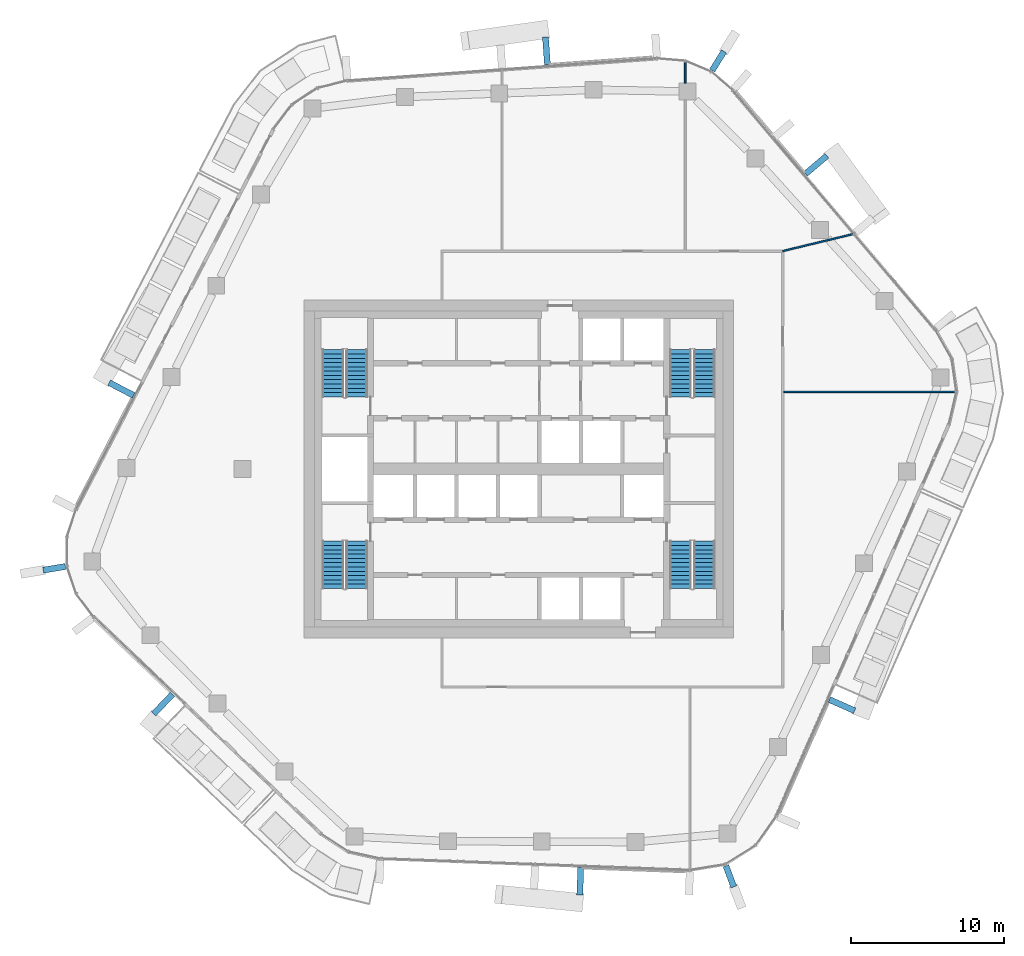
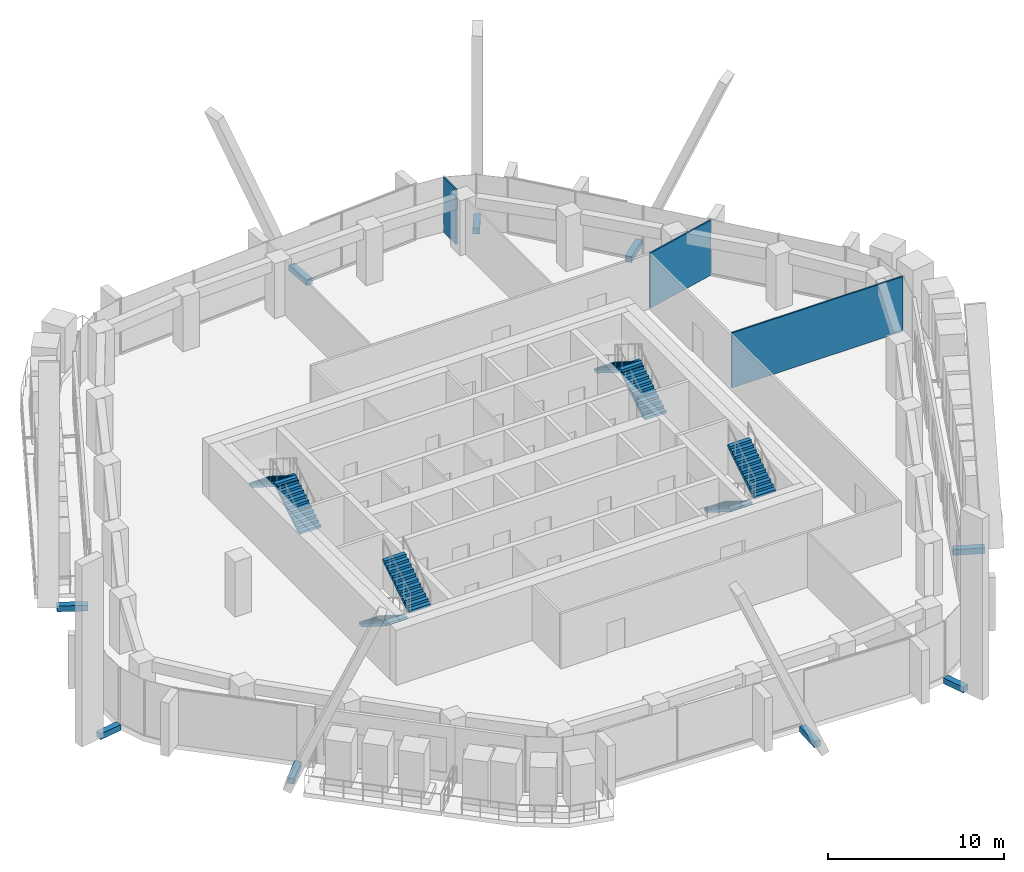
# One storey, part 13 of 20: 9 discrete accessories, 8 stair flights, 3 walls, 4 elements without a shape of their own.
"""IFC4 building model written with IfcOpenShell, lengths in metres."""

from ifc_helpers import new_model, si_unit, direction, frame, frame_2d, origin, origin_2d, place, context, subcontext, project, spatial, polyline, rectangle, outline, extrude, material, layer, layer_set, type_object, element, aggregate, save


model = new_model("IFC4")

# Units and contexts
model_context = context("Model", 3, precision=1e-05, world=origin(), true_north=direction((0.0, 1.0)))
body_context = subcontext(model_context, "Body", "Model", "MODEL_VIEW")
ifc_project = project(units=[si_unit("LENGTHUNIT", "METRE"), si_unit("AREAUNIT", "SQUARE_METRE"), si_unit("VOLUMEUNIT", "CUBIC_METRE"), si_unit("PLANEANGLEUNIT", "RADIAN"), si_unit("MASSUNIT", "GRAM", prefix="KILO")], contexts=[model_context])

# Site, building, storey
site_placement = place(None, origin())
site = spatial("IfcSite", under=ifc_project, at=site_placement, CompositionType="ELEMENT")
building_placement = place(site_placement, origin())
building = spatial("IfcBuilding", under=site, at=building_placement, Name="Dongbaek Canopy Tower", CompositionType="ELEMENT")
storey_placement = place(building_placement, frame((0.0, 0.0, 266.39990234375)))
storey = spatial("IfcBuildingStorey", under=building, at=storey_placement, Name="L56", CompositionType="ELEMENT", Elevation=266.39990234375)

# Walls
ifc_material_1 = material(Name="Gypsum board partition, steel stud, 2 x 12.5 mm board", Category="steel")
ifc_layer_1 = layer(ifc_material_1, 0.10009765625)
ifc_layer_set_1 = layer_set([ifc_layer_1], Name="Partition 100 gypsum board")
wall_type = type_object("IfcWallType", Name="Partition 100 gypsum board", PredefinedType="PARTITIONING", material=ifc_layer_set_1)
wall_1_placement = place(storey_placement, frame((17.27490234375, 5.033935546875, 0.0), z_axis=(0.0, 0.0, 1.0), x_axis=(1.0, 0.0, 0.0)))
element("IfcWall", 1, at=wall_1_placement, inside=storey, type_object=wall_type, Name="Partition", PredefinedType="PARTITIONING", context=body_context, shape_type="SweptSolid", body=[
    extrude(rectangle(XDim=11.22705078125, YDim=0.10009765625, at=frame_2d((5.613525390625, 0.0))), origin(), (0.0, 0.0, 1.0), 3.820068359375),
])
wall_2_placement = place(storey_placement, frame((17.199951171875, 14.2001953125, 0.0), z_axis=(0.0, 0.0, 1.0), x_axis=(0.971845844502, 0.235617602322, 0.0)))
element("IfcWall", 2, at=wall_2_placement, inside=storey, type_object=wall_type, Name="Partition", PredefinedType="PARTITIONING", context=body_context, shape_type="SweptSolid", body=[
    extrude(rectangle(XDim=4.7705078125, YDim=0.10009765625, at=frame_2d((2.38525390625, 0.0))), origin(), (0.0, 0.0, 1.0), 3.820068359375),
])
wall_3_placement = place(storey_placement, frame((10.85302734375, 25.14892578125, 0.0), z_axis=(0.0, 0.0, 1.0), x_axis=(0.0, 1.0, 0.0)))
element("IfcWall", 3, at=wall_3_placement, inside=storey, type_object=wall_type, Name="Partition", PredefinedType="PARTITIONING", context=body_context, shape_type="SweptSolid", body=[
    extrude(rectangle(XDim=1.42333984375, YDim=0.10009765625, at=frame_2d((0.711669921875, 0.0))), origin(), (0.0, 0.0, 1.0), 3.820068359375),
])

# Stair, stair flights
ifc_material_2 = material(Name="Concrete C40/50", Category="concrete")
stair_type = type_object("IfcStairType", Name="Core exit stair", PredefinedType="HALF_TURN_STAIR", material=ifc_material_2)
stair_1_placement = place(storey_placement, origin())
stair_1 = element("IfcStair", 4, at=stair_1_placement, inside=storey, type_object=stair_type, Name="L56 exit stair A", PredefinedType="HALF_TURN_STAIR")
ifc_material_3 = material(Name="Concrete C40/50", Category="concrete")
ifc_layer_2 = layer(ifc_material_3, 0.14990234375)
ifc_layer_set_2 = layer_set([ifc_layer_2], Name="Core stair flight 150 waist")
stair_flight_type = type_object("IfcStairFlightType", Name="Core stair flight 150 waist", PredefinedType="STRAIGHT", material=ifc_layer_set_2)
stair_flight_1_placement = place(storey_placement, frame((12.10009765625, 4.699951171875, 0.0), z_axis=(0.0, 0.0, 1.0), x_axis=(0.0, 1.0, 0.0)))
stair_flight_1 = element("IfcStairFlight", 5, at=stair_flight_1_placement, type_object=stair_flight_type, Name="ST-A flight 1", NumberOfRisers=12, NumberOfTreads=11, PredefinedType="STRAIGHT", RiserHeight=0.175, TreadLength=0.28, context=body_context, shape_type="SweptSolid", body=[
    extrude(outline(polyline([(0.0, 0.0), (0.0, 0.175048828125), (0.280029296875, 0.175048828125), (0.280029296875, 0.35009765625), (0.56005859375, 0.35009765625), (0.56005859375, 0.52490234375), (0.840087890625, 0.52490234375), (0.840087890625, 0.699951171875), (1.1201171875, 0.699951171875), (1.1201171875, 0.875), (1.39990234375, 0.875), (1.39990234375, 1.050048828125), (1.679931640625, 1.050048828125), (1.679931640625, 1.22509765625), (1.9599609375, 1.22509765625), (1.9599609375, 1.39990234375), (2.239990234375, 1.39990234375), (2.239990234375, 1.574951171875), (2.52001953125, 1.574951171875), (2.52001953125, 1.75), (2.800048828125, 1.75), (2.800048828125, 1.925048828125), (3.080078125, 1.925048828125), (3.080078125, 2.10009765625), (3.080078125, 1.748291015625), (0.28271484375, 0.0), (0.0, 0.0)])), frame((0.0, 0.699951171875, 0.0), z_axis=(0.0, -1.0, 0.0), x_axis=(1.0, 0.0, 0.0)), (0.0, 0.0, 1.0), 1.39990234375),
])
stair_flight_2_placement = place(storey_placement, frame((10.550048828125, 7.780029296875, 2.10009765625), z_axis=(0.0, 0.0, 1.0), x_axis=(0.0, -1.0, 0.0)))
stair_flight_2 = element("IfcStairFlight", 6, at=stair_flight_2_placement, type_object=stair_flight_type, Name="ST-A flight 2", NumberOfRisers=12, NumberOfTreads=11, PredefinedType="STRAIGHT", RiserHeight=0.175, TreadLength=0.28, context=body_context, shape_type="SweptSolid", body=[
    extrude(outline(polyline([(0.0, 0.0), (0.0, 0.175048828125), (0.280029296875, 0.175048828125), (0.280029296875, 0.35009765625), (0.56005859375, 0.35009765625), (0.56005859375, 0.52490234375), (0.840087890625, 0.52490234375), (0.840087890625, 0.699951171875), (1.1201171875, 0.699951171875), (1.1201171875, 0.875), (1.39990234375, 0.875), (1.39990234375, 1.050048828125), (1.679931640625, 1.050048828125), (1.679931640625, 1.22509765625), (1.9599609375, 1.22509765625), (1.9599609375, 1.39990234375), (2.239990234375, 1.39990234375), (2.239990234375, 1.574951171875), (2.52001953125, 1.574951171875), (2.52001953125, 1.75), (2.800048828125, 1.75), (2.800048828125, 1.925048828125), (3.080078125, 1.925048828125), (3.080078125, 2.10009765625), (3.080078125, 1.748291015625), (0.28271484375, 0.0), (0.0, 0.0)])), frame((0.0, 0.699951171875, 0.0), z_axis=(0.0, -1.0, 0.0), x_axis=(1.0, 0.0, 0.0)), (0.0, 0.0, 1.0), 1.39990234375),
])
aggregate(stair_1, [stair_flight_1, stair_flight_2])

stair_2_placement = place(storey_placement, origin())
stair_2 = element("IfcStair", 7, at=stair_2_placement, inside=storey, type_object=stair_type, Name="L56 exit stair C", PredefinedType="HALF_TURN_STAIR")
stair_flight_3_placement = place(storey_placement, frame((-10.550048828125, 4.699951171875, 0.0), z_axis=(0.0, 0.0, 1.0), x_axis=(0.0, 1.0, 0.0)))
stair_flight_3 = element("IfcStairFlight", 8, at=stair_flight_3_placement, type_object=stair_flight_type, Name="ST-C flight 1", NumberOfRisers=12, NumberOfTreads=11, PredefinedType="STRAIGHT", RiserHeight=0.175, TreadLength=0.28, context=body_context, shape_type="SweptSolid", body=[
    extrude(outline(polyline([(0.0, 0.0), (0.0, 0.175048828125), (0.280029296875, 0.175048828125), (0.280029296875, 0.35009765625), (0.56005859375, 0.35009765625), (0.56005859375, 0.52490234375), (0.840087890625, 0.52490234375), (0.840087890625, 0.699951171875), (1.1201171875, 0.699951171875), (1.1201171875, 0.875), (1.39990234375, 0.875), (1.39990234375, 1.050048828125), (1.679931640625, 1.050048828125), (1.679931640625, 1.22509765625), (1.9599609375, 1.22509765625), (1.9599609375, 1.39990234375), (2.239990234375, 1.39990234375), (2.239990234375, 1.574951171875), (2.52001953125, 1.574951171875), (2.52001953125, 1.75), (2.800048828125, 1.75), (2.800048828125, 1.925048828125), (3.080078125, 1.925048828125), (3.080078125, 2.10009765625), (3.080078125, 1.748291015625), (0.28271484375, 0.0), (0.0, 0.0)])), frame((0.0, 0.699951171875, 0.0), z_axis=(0.0, -1.0, 0.0), x_axis=(1.0, 0.0, 0.0)), (0.0, 0.0, 1.0), 1.39990234375),
])
stair_flight_4_placement = place(storey_placement, frame((-12.10009765625, 7.780029296875, 2.10009765625), z_axis=(0.0, 0.0, 1.0), x_axis=(0.0, -1.0, 0.0)))
stair_flight_4 = element("IfcStairFlight", 9, at=stair_flight_4_placement, type_object=stair_flight_type, Name="ST-C flight 2", NumberOfRisers=12, NumberOfTreads=11, PredefinedType="STRAIGHT", RiserHeight=0.175, TreadLength=0.28, context=body_context, shape_type="SweptSolid", body=[
    extrude(outline(polyline([(0.0, 0.0), (0.0, 0.175048828125), (0.280029296875, 0.175048828125), (0.280029296875, 0.35009765625), (0.56005859375, 0.35009765625), (0.56005859375, 0.52490234375), (0.840087890625, 0.52490234375), (0.840087890625, 0.699951171875), (1.1201171875, 0.699951171875), (1.1201171875, 0.875), (1.39990234375, 0.875), (1.39990234375, 1.050048828125), (1.679931640625, 1.050048828125), (1.679931640625, 1.22509765625), (1.9599609375, 1.22509765625), (1.9599609375, 1.39990234375), (2.239990234375, 1.39990234375), (2.239990234375, 1.574951171875), (2.52001953125, 1.574951171875), (2.52001953125, 1.75), (2.800048828125, 1.75), (2.800048828125, 1.925048828125), (3.080078125, 1.925048828125), (3.080078125, 2.10009765625), (3.080078125, 1.748291015625), (0.28271484375, 0.0), (0.0, 0.0)])), frame((0.0, 0.699951171875, 0.0), z_axis=(0.0, -1.0, 0.0), x_axis=(1.0, 0.0, 0.0)), (0.0, 0.0, 1.0), 1.39990234375),
])
aggregate(stair_2, [stair_flight_3, stair_flight_4])

stair_3_placement = place(storey_placement, origin())
stair_3 = element("IfcStair", 10, at=stair_3_placement, inside=storey, type_object=stair_type, Name="L56 exit stair B", PredefinedType="HALF_TURN_STAIR")
stair_flight_5_placement = place(storey_placement, frame((10.550048828125, -4.699951171875, 0.0), z_axis=(0.0, 0.0, 1.0), x_axis=(0.0, -1.0, 0.0)))
stair_flight_5 = element("IfcStairFlight", 11, at=stair_flight_5_placement, type_object=stair_flight_type, Name="ST-B flight 1", NumberOfRisers=12, NumberOfTreads=11, PredefinedType="STRAIGHT", RiserHeight=0.175, TreadLength=0.28, context=body_context, shape_type="SweptSolid", body=[
    extrude(outline(polyline([(0.0, 0.0), (0.0, 0.175048828125), (0.280029296875, 0.175048828125), (0.280029296875, 0.35009765625), (0.56005859375, 0.35009765625), (0.56005859375, 0.52490234375), (0.840087890625, 0.52490234375), (0.840087890625, 0.699951171875), (1.1201171875, 0.699951171875), (1.1201171875, 0.875), (1.39990234375, 0.875), (1.39990234375, 1.050048828125), (1.679931640625, 1.050048828125), (1.679931640625, 1.22509765625), (1.9599609375, 1.22509765625), (1.9599609375, 1.39990234375), (2.239990234375, 1.39990234375), (2.239990234375, 1.574951171875), (2.52001953125, 1.574951171875), (2.52001953125, 1.75), (2.800048828125, 1.75), (2.800048828125, 1.925048828125), (3.080078125, 1.925048828125), (3.080078125, 2.10009765625), (3.080078125, 1.748291015625), (0.28271484375, 0.0), (0.0, 0.0)])), frame((0.0, 0.699951171875, 0.0), z_axis=(0.0, -1.0, 0.0), x_axis=(1.0, 0.0, 0.0)), (0.0, 0.0, 1.0), 1.39990234375),
])
stair_flight_6_placement = place(storey_placement, frame((12.10009765625, -7.780029296875, 2.10009765625), z_axis=(0.0, 0.0, 1.0), x_axis=(0.0, 1.0, 0.0)))
stair_flight_6 = element("IfcStairFlight", 12, at=stair_flight_6_placement, type_object=stair_flight_type, Name="ST-B flight 2", NumberOfRisers=12, NumberOfTreads=11, PredefinedType="STRAIGHT", RiserHeight=0.175, TreadLength=0.28, context=body_context, shape_type="SweptSolid", body=[
    extrude(outline(polyline([(0.0, 0.0), (0.0, 0.175048828125), (0.280029296875, 0.175048828125), (0.280029296875, 0.35009765625), (0.56005859375, 0.35009765625), (0.56005859375, 0.52490234375), (0.840087890625, 0.52490234375), (0.840087890625, 0.699951171875), (1.1201171875, 0.699951171875), (1.1201171875, 0.875), (1.39990234375, 0.875), (1.39990234375, 1.050048828125), (1.679931640625, 1.050048828125), (1.679931640625, 1.22509765625), (1.9599609375, 1.22509765625), (1.9599609375, 1.39990234375), (2.239990234375, 1.39990234375), (2.239990234375, 1.574951171875), (2.52001953125, 1.574951171875), (2.52001953125, 1.75), (2.800048828125, 1.75), (2.800048828125, 1.925048828125), (3.080078125, 1.925048828125), (3.080078125, 2.10009765625), (3.080078125, 1.748291015625), (0.28271484375, 0.0), (0.0, 0.0)])), frame((0.0, 0.699951171875, 0.0), z_axis=(0.0, -1.0, 0.0), x_axis=(1.0, 0.0, 0.0)), (0.0, 0.0, 1.0), 1.39990234375),
])
aggregate(stair_3, [stair_flight_5, stair_flight_6])

stair_4_placement = place(storey_placement, origin())
stair_4 = element("IfcStair", 13, at=stair_4_placement, inside=storey, type_object=stair_type, Name="L56 exit stair D", PredefinedType="HALF_TURN_STAIR")
stair_flight_7_placement = place(storey_placement, frame((-12.10009765625, -4.699951171875, 0.0), z_axis=(0.0, 0.0, 1.0), x_axis=(0.0, -1.0, 0.0)))
stair_flight_7 = element("IfcStairFlight", 14, at=stair_flight_7_placement, type_object=stair_flight_type, Name="ST-D flight 1", NumberOfRisers=12, NumberOfTreads=11, PredefinedType="STRAIGHT", RiserHeight=0.175, TreadLength=0.28, context=body_context, shape_type="SweptSolid", body=[
    extrude(outline(polyline([(0.0, 0.0), (0.0, 0.175048828125), (0.280029296875, 0.175048828125), (0.280029296875, 0.35009765625), (0.56005859375, 0.35009765625), (0.56005859375, 0.52490234375), (0.840087890625, 0.52490234375), (0.840087890625, 0.699951171875), (1.1201171875, 0.699951171875), (1.1201171875, 0.875), (1.39990234375, 0.875), (1.39990234375, 1.050048828125), (1.679931640625, 1.050048828125), (1.679931640625, 1.22509765625), (1.9599609375, 1.22509765625), (1.9599609375, 1.39990234375), (2.239990234375, 1.39990234375), (2.239990234375, 1.574951171875), (2.52001953125, 1.574951171875), (2.52001953125, 1.75), (2.800048828125, 1.75), (2.800048828125, 1.925048828125), (3.080078125, 1.925048828125), (3.080078125, 2.10009765625), (3.080078125, 1.748291015625), (0.28271484375, 0.0), (0.0, 0.0)])), frame((0.0, 0.699951171875, 0.0), z_axis=(0.0, -1.0, 0.0), x_axis=(1.0, 0.0, 0.0)), (0.0, 0.0, 1.0), 1.39990234375),
])
stair_flight_8_placement = place(storey_placement, frame((-10.550048828125, -7.780029296875, 2.10009765625), z_axis=(0.0, 0.0, 1.0), x_axis=(0.0, 1.0, 0.0)))
stair_flight_8 = element("IfcStairFlight", 15, at=stair_flight_8_placement, type_object=stair_flight_type, Name="ST-D flight 2", NumberOfRisers=12, NumberOfTreads=11, PredefinedType="STRAIGHT", RiserHeight=0.175, TreadLength=0.28, context=body_context, shape_type="SweptSolid", body=[
    extrude(outline(polyline([(0.0, 0.0), (0.0, 0.175048828125), (0.280029296875, 0.175048828125), (0.280029296875, 0.35009765625), (0.56005859375, 0.35009765625), (0.56005859375, 0.52490234375), (0.840087890625, 0.52490234375), (0.840087890625, 0.699951171875), (1.1201171875, 0.699951171875), (1.1201171875, 0.875), (1.39990234375, 0.875), (1.39990234375, 1.050048828125), (1.679931640625, 1.050048828125), (1.679931640625, 1.22509765625), (1.9599609375, 1.22509765625), (1.9599609375, 1.39990234375), (2.239990234375, 1.39990234375), (2.239990234375, 1.574951171875), (2.52001953125, 1.574951171875), (2.52001953125, 1.75), (2.800048828125, 1.75), (2.800048828125, 1.925048828125), (3.080078125, 1.925048828125), (3.080078125, 2.10009765625), (3.080078125, 1.748291015625), (0.28271484375, 0.0), (0.0, 0.0)])), frame((0.0, 0.699951171875, 0.0), z_axis=(0.0, -1.0, 0.0), x_axis=(1.0, 0.0, 0.0)), (0.0, 0.0, 1.0), 1.39990234375),
])
aggregate(stair_4, [stair_flight_7, stair_flight_8])

# Discrete accessories
ifc_material_4 = material(Name="Galvanised steel S355 bracket", Category="steel")
discrete_accessory_type = type_object("IfcDiscreteAccessoryType", Name="Crease fin bracket BR3 400", PredefinedType="BRACKET", material=ifc_material_4)
discrete_accessory_1_placement = place(storey_placement, frame((19.38525390625, 19.822998046875, -0.389892578125), z_axis=(0.0, 0.0, 1.0), x_axis=(0.763291106991, 0.6460547082, 0.0)))
element("IfcDiscreteAccessory", 16, at=discrete_accessory_1_placement, inside=storey, type_object=discrete_accessory_type, Name="Crease fin bracket L56 F0", PredefinedType="BRACKET", context=body_context, shape_type="SweptSolid", body=[
    extrude(rectangle(XDim=1.830810546875, YDim=0.39990234375, at=origin_2d()), origin(), (0.0, 0.0, 1.0), 0.39990234375),
])
discrete_accessory_2_placement = place(storey_placement, frame((1.809814453125, 27.245849609375, -0.389892578125), z_axis=(0.0, 0.0, 1.0), x_axis=(-0.07174464462, 0.997423032604, 0.0)))
element("IfcDiscreteAccessory", 17, at=discrete_accessory_2_placement, inside=storey, type_object=discrete_accessory_type, Name="Crease fin bracket L56 F1", PredefinedType="BRACKET", context=body_context, shape_type="SweptSolid", body=[
    extrude(rectangle(XDim=1.8212890625, YDim=0.39990234375, at=origin_2d()), origin(), (0.0, 0.0, 1.0), 0.39990234375),
])
discrete_accessory_3_placement = place(storey_placement, frame((-25.8876953125, 5.216552734375, -0.389892578125), z_axis=(0.0, 0.0, 1.0), x_axis=(-0.887462519706, 0.460879893376, 0.0)))
element("IfcDiscreteAccessory", 18, at=discrete_accessory_3_placement, inside=storey, type_object=discrete_accessory_type, Name="Crease fin bracket L56 F2", PredefinedType="BRACKET", context=body_context, shape_type="SweptSolid", body=[
    extrude(rectangle(XDim=1.78662109375, YDim=0.39990234375, at=origin_2d()), origin(), (0.0, 0.0, 1.0), 0.39990234375),
])
discrete_accessory_4_placement = place(storey_placement, frame((-23.16650390625, -15.31201171875, -0.389892578125), z_axis=(0.0, 0.0, 1.0), x_axis=(-0.690481047292, -0.723350484434, 0.0)))
element("IfcDiscreteAccessory", 19, at=discrete_accessory_4_placement, inside=storey, type_object=discrete_accessory_type, Name="Crease fin bracket L56 F3", PredefinedType="BRACKET", context=body_context, shape_type="SweptSolid", body=[
    extrude(rectangle(XDim=1.778564453125, YDim=0.39990234375, at=origin_2d()), origin(), (0.0, 0.0, 1.0), 0.39990234375),
])
discrete_accessory_5_placement = place(storey_placement, frame((4.012939453125, -26.862060546875, -0.389892578125), z_axis=(0.0, 0.0, 1.0), x_axis=(-0.036873936466, -0.999319925154, 0.0)))
element("IfcDiscreteAccessory", 20, at=discrete_accessory_5_placement, inside=storey, type_object=discrete_accessory_type, Name="Crease fin bracket L56 F4", PredefinedType="BRACKET", context=body_context, shape_type="SweptSolid", body=[
    extrude(rectangle(XDim=1.7900390625, YDim=0.39990234375, at=origin_2d()), origin(), (0.0, 0.0, 1.0), 0.39990234375),
])
discrete_accessory_6_placement = place(storey_placement, frame((21.064208984375, -15.382080078125, -0.389892578125), z_axis=(0.0, 0.0, 1.0), x_axis=(0.915073027151, -0.403288178578, 0.0)))
element("IfcDiscreteAccessory", 21, at=discrete_accessory_6_placement, inside=storey, type_object=discrete_accessory_type, Name="Crease fin bracket L56 F5", PredefinedType="BRACKET", context=body_context, shape_type="SweptSolid", body=[
    extrude(rectangle(XDim=1.80517578125, YDim=0.39990234375, at=origin_2d()), origin(), (0.0, 0.0, 1.0), 0.39990234375),
])
for number, where, z_axis, x_axis, name in (
    (22, (12.990966796875, 26.590576171875, -0.389892578125), (0.0, 0.0, 1.0), (0.526936511908, 0.849904649016, 0.0), "Corner fin bracket L56 K1"),
    (23, (-30.25732421875, -6.46630859375, -0.389892578125), (0.0, 0.0, 1.0), (-0.986446731752, -0.164081825364, 0.0), "Corner fin bracket L56 K3"),
    (24, (13.75927734375, -26.5361328125, -0.389892578125), (0.0, 0.0, 1.0), (0.35287395283, -0.935670868102, 0.0), "Corner fin bracket L56 K5"),
):
    element("IfcDiscreteAccessory", number, at=place(storey_placement, frame(where, z_axis=z_axis, x_axis=x_axis)), inside=storey, type_object=discrete_accessory_type, Name=name, PredefinedType="BRACKET", context=body_context, shape_type="SweptSolid", body=[
        extrude(rectangle(XDim=1.469970703125, YDim=0.39990234375, at=origin_2d()), origin(), (0.0, 0.0, 1.0), 0.39990234375),
    ])

save(model, "model.ifc")
